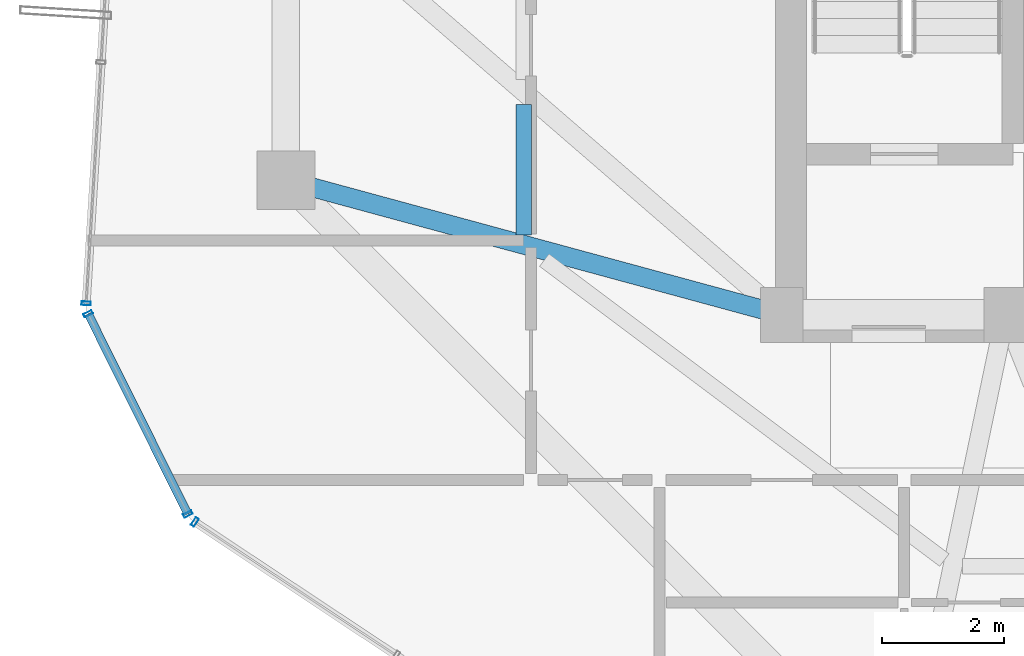
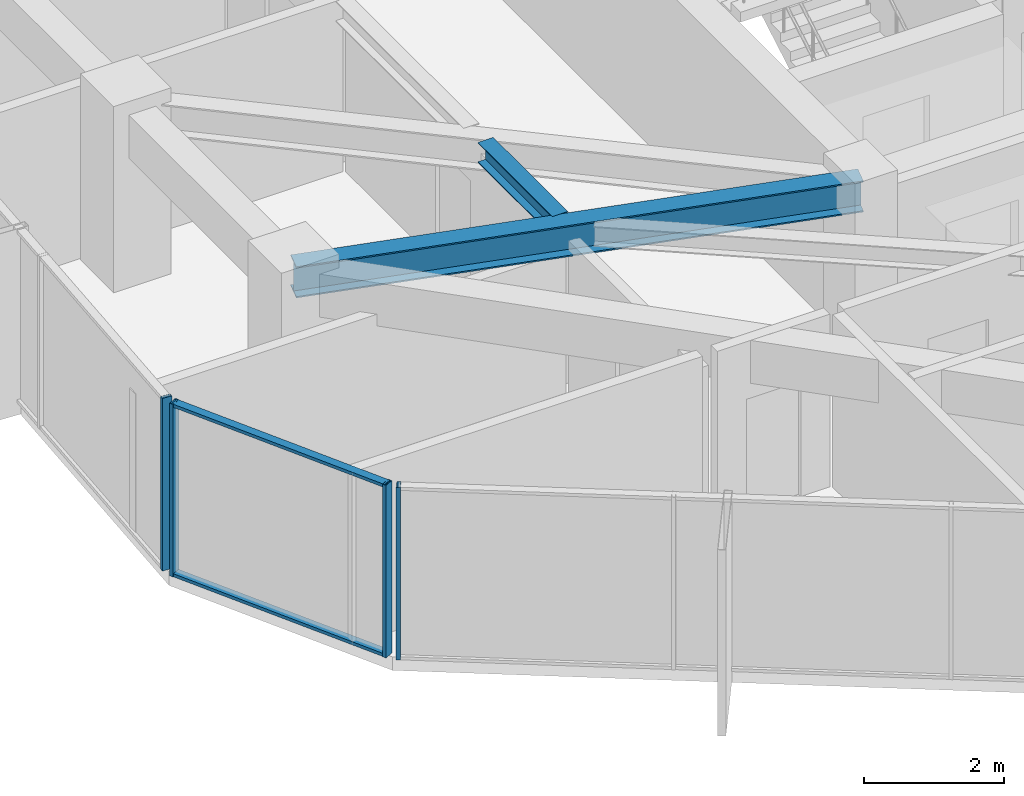
# One storey, part 4 of 29: 6 members, 2 beams, 3 elements without a shape of their own.
"""IFC4 building model written with IfcOpenShell, lengths in metres."""

from ifc_helpers import new_model, si_unit, direction, frame, origin, origin_2d, place, context, subcontext, project, spatial, hollow_rectangle, i_section, extrude, source, transform, mapped, material, layer, layer_set, material_profile, profile_set, type_object, element, aggregate, save


model = new_model("IFC4")

# Units and contexts
model_context = context("Model", 3, precision=1e-05, world=origin(), true_north=direction((0.0, 1.0)))
body_context = subcontext(model_context, "Body", "Model", "MODEL_VIEW")
ifc_project = project(units=[si_unit("LENGTHUNIT", "METRE"), si_unit("AREAUNIT", "SQUARE_METRE"), si_unit("VOLUMEUNIT", "CUBIC_METRE"), si_unit("PLANEANGLEUNIT", "RADIAN"), si_unit("MASSUNIT", "GRAM", prefix="KILO")], contexts=[model_context])

# Site, building, storey
site_placement = place(None, origin())
site = spatial("IfcSite", under=ifc_project, at=site_placement, CompositionType="ELEMENT")
building_placement = place(site_placement, origin())
building = spatial("IfcBuilding", under=site, at=building_placement, Name="Veraguas Prism Commons", CompositionType="ELEMENT")
storey_placement = place(building_placement, frame((0.0, 0.0, 218.89990234375)))
storey = spatial("IfcBuildingStorey", under=building, at=storey_placement, Name="L62", CompositionType="ELEMENT", Elevation=218.89990234375)

# Beams
ifc_material_1 = material(Name="Steel ASTM A992 Grade 50", Category="steel")
ifc_material_profile_1 = material_profile(ifc_material_1, i_section(OverallWidth=0.25390625, OverallDepth=0.35302734375, WebThickness=0.009521484375, FlangeThickness=0.016357421875, at=origin_2d()), Name="W360X91")
ifc_profile_set_1 = profile_set([ifc_material_profile_1], Name="Steel ASTM A992 Grade 50")
beam_type_1 = type_object("IfcBeamType", Name="Upper Floor Joist W360x91", PredefinedType="JOIST", material=ifc_profile_set_1)
beam_1_placement = place(storey_placement, frame((12.988037109375, 20.43701171875, 2.838623046875), z_axis=(0.0, -1.0, 0.0), x_axis=(1.0, 0.0, 0.0)))
element("IfcBeam", 1, at=beam_1_placement, inside=storey, type_object=beam_type_1, Name="Composite Floor Joist L62-JS08", PredefinedType="JOIST", context=body_context, shape_type="SweptSolid", body=[
    extrude(i_section(OverallWidth=0.25390625, OverallDepth=0.35302734375, WebThickness=0.009521484375, FlangeThickness=0.016357421875, at=origin_2d()), origin(), (0.0, 0.0, 1.0), 2.134033203125),
])
ifc_material_profile_2 = material_profile(ifc_material_1, i_section(OverallWidth=0.31103515625, OverallDepth=0.5458984375, WebThickness=0.0146484375, FlangeThickness=0.023681640625, at=origin_2d()), Name="W530X165")
ifc_profile_set_2 = profile_set([ifc_material_profile_2], Name="Steel ASTM A992 Grade 50")
beam_type_2 = type_object("IfcBeamType", Name="Zone 3 Radial Girder W530x165", PredefinedType="BEAM", material=ifc_profile_set_2)
beam_2_placement = place(storey_placement, frame((9.10009765625, 19.199951171875, 2.7421875), z_axis=(0.965038506703, -0.262108146725, 0.0), x_axis=(0.262108146725, 0.965038506703, 0.0)))
element("IfcBeam", 2, at=beam_2_placement, inside=storey, type_object=beam_type_2, Name="Radial Floor Girder L62-RD09", PredefinedType="BEAM", context=body_context, shape_type="SweptSolid", body=[
    extrude(i_section(OverallWidth=0.31103515625, OverallDepth=0.5458984375, WebThickness=0.0146484375, FlangeThickness=0.023681640625, at=origin_2d()), origin(), (0.0, 0.0, 1.0), 8.393310546875),
])

# Curtain wall, members
ifc_material_2 = material(Name="Anodised aluminium EN AW-6063 T6", Category="aluminium")
ifc_layer = layer(ifc_material_2, 0.14990234375, Name="Unitised Flush Curtain Wall Zone 3", Category="aluminium")
ifc_layer_set = layer_set([ifc_layer], Name="Anodised aluminium EN AW-6063 T6")
curtain_wall_type = type_object("IfcCurtainWallType", Name="Unitised Flush Curtain Wall Zone 3", PredefinedType="NOTDEFINED", material=ifc_layer_set)
curtain_wall_1_placement = place(storey_placement, origin())
curtain_wall_1 = element("IfcCurtainWall", 3, at=curtain_wall_1_placement, inside=storey, type_object=curtain_wall_type, Name="Chamfer Curtain Wall L62-C4", PredefinedType="NOTDEFINED")
ifc_material_profile_3 = material_profile(ifc_material_2, hollow_rectangle(XDim=0.054931640625, YDim=0.135009765625, WallThickness=0.0029296875, at=origin_2d()), Name="AL55X135X3")
ifc_profile_set_3 = profile_set([ifc_material_profile_3], Name="Anodised aluminium EN AW-6063 T6")
member_type_1 = type_object("IfcMemberType", Name="Curtain Wall Transom Standard AL 55x135x3", PredefinedType="USERDEFINED", material=ifc_profile_set_3)
shared_shape_1 = source(origin(), body_context, "Body", "SweptSolid", [
    extrude(hollow_rectangle(XDim=0.054931640625, YDim=0.135009765625, WallThickness=0.0029296875, at=origin_2d()), origin(), (0.0, 0.0, 1.0), 3.654541015625),
])
member_1_placement = place(storey_placement, frame((5.868896484375, 17.01708984375, 0.027587890625), z_axis=(0.445582834691, -0.895240714796, 0.0), x_axis=(0.0, 0.0, 1.0)))
member_1 = element("IfcMember", 4, at=member_1_placement, type_object=member_type_1, Name="CW-Z3 Transom 1", ObjectType="TRANSOM", PredefinedType="USERDEFINED", context=body_context, shape_type="MappedRepresentation", body=[
    mapped(shared_shape_1, transform((0.0, 0.0, 0.0), scale=1.0)),
])
member_2_placement = place(storey_placement, frame((5.868896484375, 17.01708984375, 2.987548828125), z_axis=(0.445582834691, -0.895240714796, 0.0), x_axis=(0.0, 0.0, 1.0)))
member_2 = element("IfcMember", 5, at=member_2_placement, type_object=member_type_1, Name="CW-Z3 Transom 2", ObjectType="TRANSOM", PredefinedType="USERDEFINED", context=body_context, shape_type="MappedRepresentation", body=[
    mapped(shared_shape_1, transform((0.0, 0.0, 0.0), scale=1.0)),
])

# Curtain wall, member
curtain_wall_2_placement = place(storey_placement, origin())
curtain_wall_2 = element("IfcCurtainWall", 6, at=curtain_wall_2_placement, inside=storey, type_object=curtain_wall_type, Name="Tower Facade Curtain Wall L62-F3", PredefinedType="NOTDEFINED")
ifc_material_profile_4 = material_profile(ifc_material_2, hollow_rectangle(XDim=0.06005859375, YDim=0.14990234375, WallThickness=0.0029296875, at=origin_2d()), Name="AL60X150X3")
ifc_profile_set_4 = profile_set([ifc_material_profile_4], Name="Anodised aluminium EN AW-6063 T6")
member_type_2 = type_object("IfcMemberType", Name="Curtain Wall Mullion Upper AL 60x150x3", PredefinedType="MULLION", material=ifc_profile_set_4)
shared_shape_2 = source(origin(), body_context, "Body", "SweptSolid", [
    extrude(hollow_rectangle(XDim=0.06005859375, YDim=0.14990234375, WallThickness=0.0029296875, at=origin_2d()), origin(), (0.0, 0.0, 1.0), 3.01513671875),
])
member_3_placement = place(storey_placement, frame((5.83447265625, 17.1875, 0.0), z_axis=(0.0, 0.0, 1.0), x_axis=(-0.061745354146, -0.998091935265, 0.0)))
member_3 = element("IfcMember", 7, at=member_3_placement, type_object=member_type_2, Name="CW-Z3 Mullion 5", PredefinedType="MULLION", context=body_context, shape_type="MappedRepresentation", body=[
    mapped(shared_shape_2, transform((0.0, 0.0, 0.0), scale=1.0)),
])
aggregate(curtain_wall_2, [member_3])

curtain_wall_3_placement = place(storey_placement, origin())
curtain_wall_3 = element("IfcCurtainWall", 8, at=curtain_wall_3_placement, inside=storey, type_object=curtain_wall_type, Name="Tower Facade Curtain Wall L62-F4", PredefinedType="NOTDEFINED")
member_4_placement = place(storey_placement, frame((7.6123046875, 13.615234375, 0.0), z_axis=(0.0, 0.0, 1.0), x_axis=(0.833503187151, -0.552514648683, 0.0)))
member_4 = element("IfcMember", 9, at=member_4_placement, type_object=member_type_2, Name="CW-Z3 Mullion 1", PredefinedType="MULLION", context=body_context, shape_type="MappedRepresentation", body=[
    mapped(shared_shape_2, transform((0.0, 0.0, 0.0), scale=1.0)),
])
aggregate(curtain_wall_3, [member_4])

# Member
member_5_placement = place(storey_placement, frame((5.868896484375, 17.01708984375, 0.0), z_axis=(0.0, 0.0, 1.0), x_axis=(0.445586984808, -0.895238649171, 0.0)))
member_5 = element("IfcMember", 10, at=member_5_placement, type_object=member_type_2, Name="CW-Z3 Mullion 1", PredefinedType="MULLION", context=body_context, shape_type="MappedRepresentation", body=[
    mapped(shared_shape_2, transform((0.0, 0.0, 0.0), scale=1.0)),
])

member_6_placement = place(storey_placement, frame((7.497314453125, 13.745361328125, 0.0), z_axis=(0.0, 0.0, 1.0), x_axis=(0.445586984808, -0.895238649171, 0.0)))
member_6 = element("IfcMember", 11, at=member_6_placement, type_object=member_type_2, Name="CW-Z3 Mullion 2", PredefinedType="MULLION", context=body_context, shape_type="MappedRepresentation", body=[
    mapped(shared_shape_2, transform((0.0, 0.0, 0.0), scale=1.0)),
])

aggregate(curtain_wall_1, [member_5, member_6, member_1, member_2])

save(model, "model.ifc")
